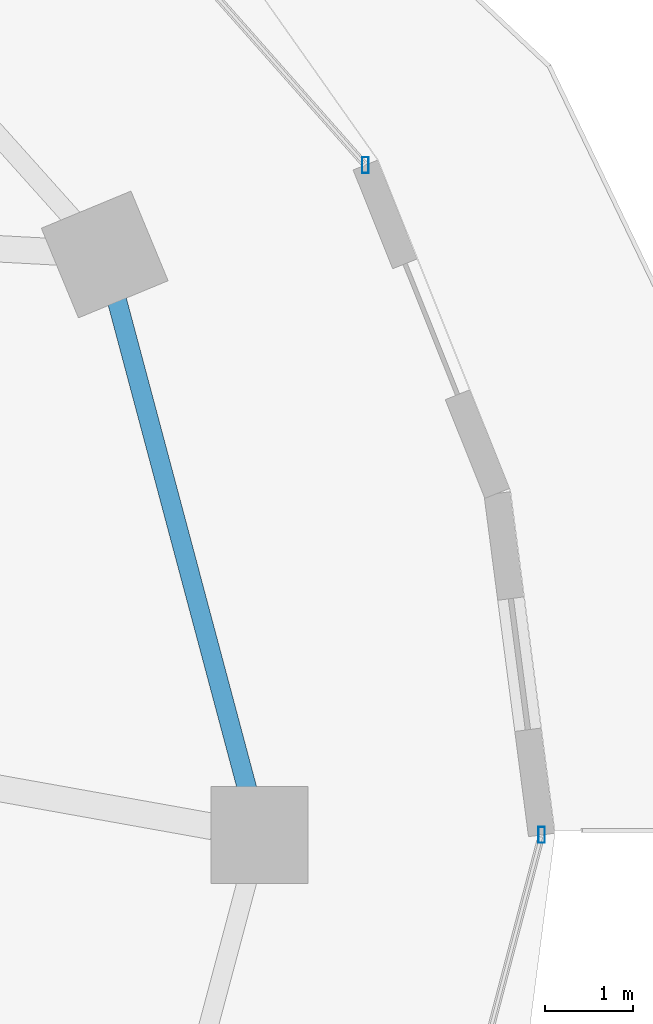
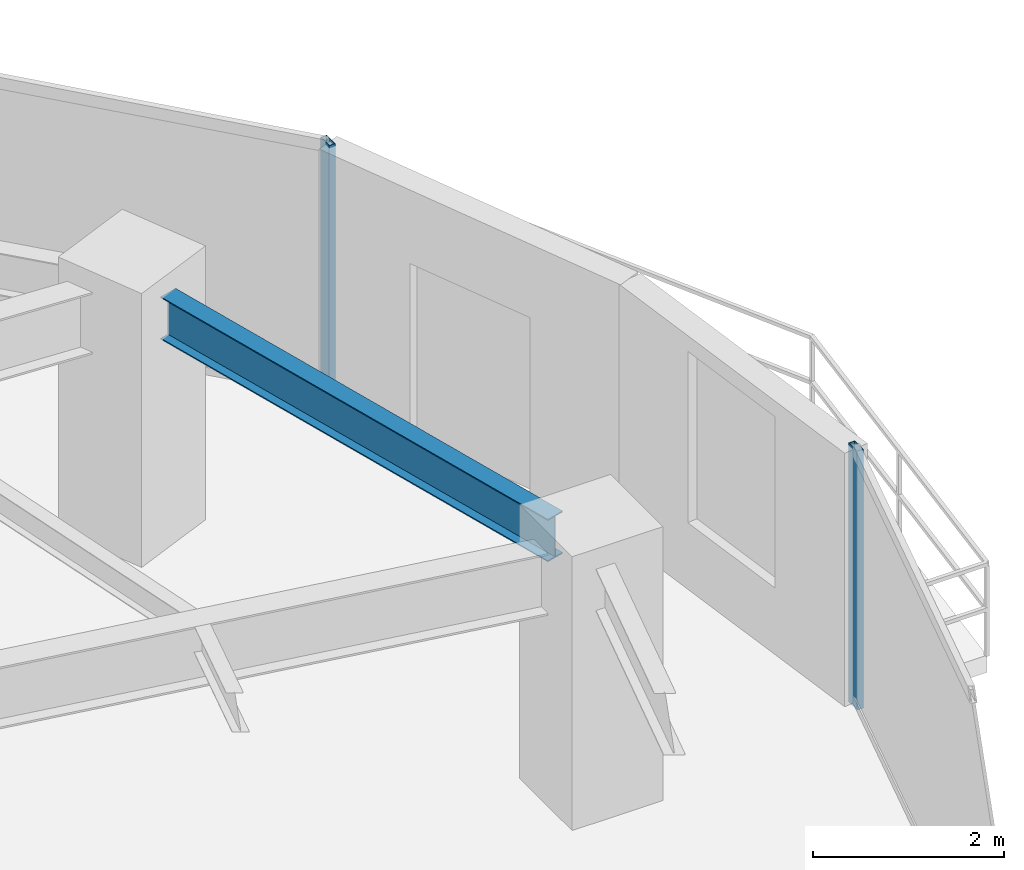
# One storey, part 16 of 29: 2 members, 1 beam, 2 elements without a shape of their own.
"""IFC4 building model written with IfcOpenShell, lengths in metres."""

from ifc_helpers import new_model, si_unit, direction, frame, origin, origin_2d, place, context, subcontext, project, spatial, hollow_rectangle, i_section, extrude, material, material_profile, profile_set, type_object, element, aggregate, save


model = new_model("IFC4")

# Units and contexts
model_context = context("Model", 3, precision=1e-05, world=origin(), true_north=direction((0.0, 1.0)))
body_context = subcontext(model_context, "Body", "Model", "MODEL_VIEW")
ifc_project = project(units=[si_unit("LENGTHUNIT", "METRE"), si_unit("AREAUNIT", "SQUARE_METRE"), si_unit("VOLUMEUNIT", "CUBIC_METRE"), si_unit("PLANEANGLEUNIT", "RADIAN"), si_unit("MASSUNIT", "GRAM", prefix="KILO")], contexts=[model_context])

# Site, building, storey
site_placement = place(None, origin())
site = spatial("IfcSite", under=ifc_project, at=site_placement, CompositionType="ELEMENT")
building_placement = place(site_placement, origin())
building = spatial("IfcBuilding", under=site, at=building_placement, Name="Vorneva Point Tower", CompositionType="ELEMENT")
storey_placement = place(building_placement, frame((0.0, 0.0, 82.300048828125)))
storey = spatial("IfcBuildingStorey", under=building, at=storey_placement, Name="L21", CompositionType="ELEMENT", Elevation=82.300048828125)

# Beam
ifc_material_1 = material(Name="Steel S355", Category="steel")
ifc_material_profile_1 = material_profile(ifc_material_1, i_section(OverallWidth=0.219970703125, OverallDepth=0.54296875, WebThickness=0.009521484375, FlangeThickness=0.013427734375, at=origin_2d()), Name="55B1")
ifc_profile_set_1 = profile_set([ifc_material_profile_1], Name="Steel S355")
beam_type = type_object("IfcBeamType", Name="BM-SPN-55B1", PredefinedType="SPANDREL", material=ifc_profile_set_1)
beam_placement = place(storey_placement, frame((60.912109375, 26.516845703125, 2.968505859375), z_axis=(-0.257572674071, 0.966258928845, 0.0), x_axis=(-0.966258928845, -0.257572674071, 0.0)))
element("IfcBeam", 1, at=beam_placement, inside=storey, type_object=beam_type, Name="L21 Perimeter Spandrel Ring Beam 01", PredefinedType="SPANDREL", context=body_context, shape_type="SweptSolid", body=[
    extrude(i_section(OverallWidth=0.219970703125, OverallDepth=0.54296875, WebThickness=0.009521484375, FlangeThickness=0.013427734375, at=origin_2d()), origin(), (0.0, 0.0, 1.0), 5.7421875),
])

# Curtain wall, member
ifc_material_2 = material(Name="Pale anodised aluminium", Category="aluminium")
curtain_wall_type = type_object("IfcCurtainWallType", Name="CW-HTL-SYS", PredefinedType="NOTDEFINED", material=ifc_material_2)
curtain_wall_1_placement = place(storey_placement, origin())
curtain_wall_1 = element("IfcCurtainWall", 2, at=curtain_wall_1_placement, inside=storey, type_object=curtain_wall_type, Name="L21 Unitised Curtain Wall CW-L21-R01", PredefinedType="NOTDEFINED")
ifc_material_profile_2 = material_profile(ifc_material_2, hollow_rectangle(XDim=0.074951171875, YDim=0.179931640625, WallThickness=0.00390625, at=origin_2d()), Name="AL-MUL 180x75x4")
ifc_profile_set_2 = profile_set([ifc_material_profile_2], Name="Pale anodised aluminium")
member_type = type_object("IfcMemberType", Name="CW-MUL-180", PredefinedType="MULLION", material=ifc_profile_set_2)
member_1_placement = place(storey_placement, frame((62.251708984375, 33.59619140625, -0.0400390625), z_axis=(0.0, 0.0, 1.0), x_axis=(1.0, 0.0, 0.0)))
member_1 = element("IfcMember", 3, at=member_1_placement, type_object=member_type, Name="CW-L21-R01 Mullion 01", PredefinedType="MULLION", context=body_context, shape_type="SweptSolid", body=[
    extrude(hollow_rectangle(XDim=0.074951171875, YDim=0.179931640625, WallThickness=0.00390625, at=origin_2d()), origin(), (0.0, 0.0, 1.0), 3.31005859375),
])
aggregate(curtain_wall_1, [member_1])

curtain_wall_2_placement = place(storey_placement, origin())
curtain_wall_2 = element("IfcCurtainWall", 4, at=curtain_wall_2_placement, inside=storey, type_object=curtain_wall_type, Name="L21 Unitised Curtain Wall CW-L21-R04", PredefinedType="NOTDEFINED")
member_2_placement = place(storey_placement, frame((64.25, 26.0, -0.0400390625), z_axis=(0.0, 0.0, 1.0), x_axis=(1.0, 0.0, 0.0)))
member_2 = element("IfcMember", 5, at=member_2_placement, type_object=member_type, Name="CW-L21-R04 Mullion 03", PredefinedType="MULLION", context=body_context, shape_type="SweptSolid", body=[
    extrude(hollow_rectangle(XDim=0.074951171875, YDim=0.179931640625, WallThickness=0.00390625, at=origin_2d()), origin(), (0.0, 0.0, 1.0), 3.31005859375),
])
aggregate(curtain_wall_2, [member_2])

save(model, "model.ifc")
